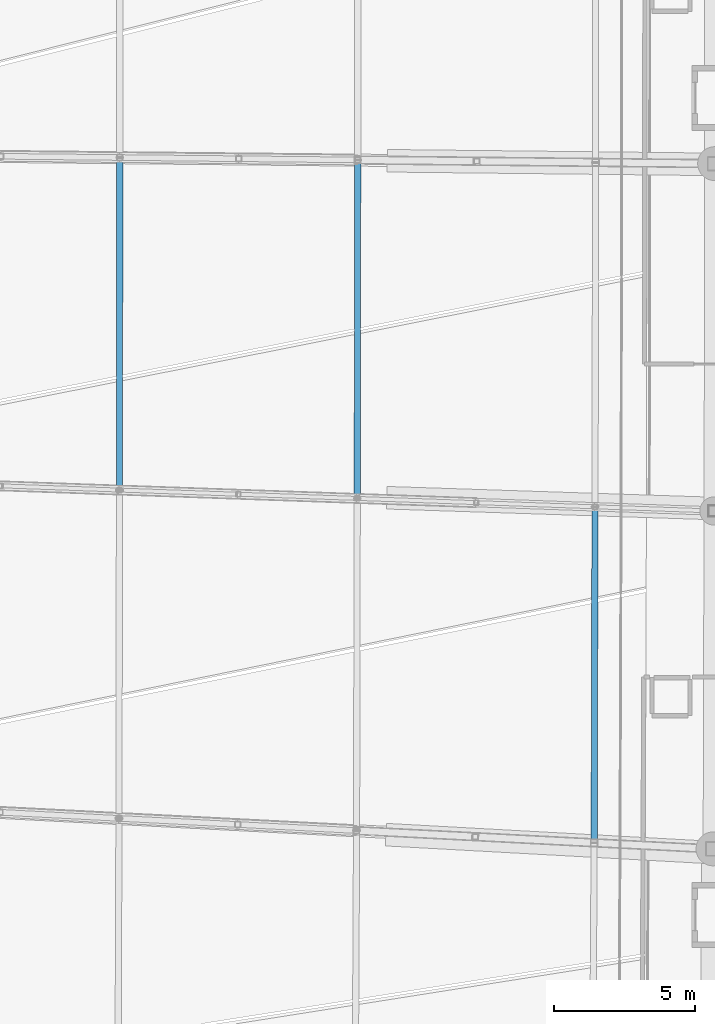
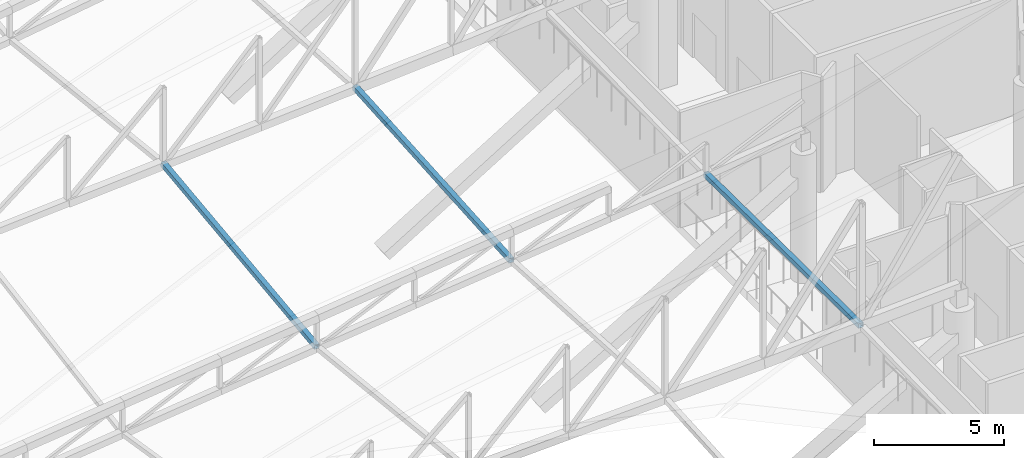
# One storey, part 103 of 344: 3 members.
"""IFC4 building model written with IfcOpenShell, lengths in metres."""

from ifc_helpers import new_model, si_unit, direction, frame, origin, origin_2d, place, context, subcontext, project, spatial, hollow_rectangle, extrude, material, material_profile, profile_set, type_object, element, save


model = new_model("IFC4")

# Units and contexts
model_context = context("Model", 3, precision=1e-05, world=origin(), true_north=direction((0.0, 1.0)))
body_context = subcontext(model_context, "Body", "Model", "MODEL_VIEW")
ifc_project = project(units=[si_unit("LENGTHUNIT", "METRE"), si_unit("AREAUNIT", "SQUARE_METRE"), si_unit("VOLUMEUNIT", "CUBIC_METRE"), si_unit("PLANEANGLEUNIT", "RADIAN"), si_unit("MASSUNIT", "GRAM", prefix="KILO")], contexts=[model_context])

# Site, building, storey
site_placement = place(None, origin())
site = spatial("IfcSite", under=ifc_project, at=site_placement, CompositionType="ELEMENT")
building_placement = place(site_placement, origin())
building = spatial("IfcBuilding", under=site, at=building_placement, Name="Meseta Stadium", CompositionType="ELEMENT")
storey_placement = place(building_placement, frame((0.0, 0.0, 24.0)))
storey = spatial("IfcBuildingStorey", under=building, at=storey_placement, Name="L04", CompositionType="ELEMENT", Elevation=24.0)

# Members
ifc_material = material(Name="Steel S355", Category="steel")
ifc_material_profile = material_profile(ifc_material, hollow_rectangle(XDim=0.219970703125, YDim=0.219970703125, WallThickness=0.008056640625, at=origin_2d()), Name="SHS 220x220x8")
ifc_profile_set = profile_set([ifc_material_profile], Name="Steel S355")
member_type = type_object("IfcMemberType", Name="SHS 220x220x8 strut", PredefinedType="STRUT", material=ifc_profile_set)
member_1_placement = place(storey_placement, frame((80.72412109375, -30.187255859375, 6.321044921875), z_axis=(0.00245648828, 0.99991355421, -0.012917034204), x_axis=(-0.999996982325, 0.002456693238, 0.0)))
element("IfcMember", 1, at=member_1_placement, inside=storey, type_object=member_type, Name="ROOF TRUSS STRUT RT-02/03", PredefinedType="STRUT", context=body_context, shape_type="SweptSolid", body=[
    extrude(hollow_rectangle(XDim=0.219970703125, YDim=0.219970703125, WallThickness=0.008056640625, at=origin_2d()), origin(), (0.0, 0.0, 1.0), 11.92626953125),
])
member_2_placement = place(storey_placement, frame((63.875, -17.667236328125, 3.634521484375), z_axis=(0.001067973413, 0.992886667036, 0.119058497617), x_axis=(-0.999999421516, 0.001075624067, 0.0)))
element("IfcMember", 2, at=member_2_placement, inside=storey, type_object=member_type, Name="ROOF TRUSS STRUT RT-03/04", PredefinedType="STRUT", context=body_context, shape_type="SweptSolid", body=[
    extrude(hollow_rectangle(XDim=0.219970703125, YDim=0.219970703125, WallThickness=0.008056640625, at=origin_2d()), origin(), (0.0, 0.0, 1.0), 11.88720703125),
])
member_3_placement = place(storey_placement, frame((72.314208984375, -17.964599609375, 4.900634765625), z_axis=(0.001439518658, 0.997667529831, 0.068245349349), x_axis=(-0.999998959044, 0.001442882641, 0.0)))
element("IfcMember", 3, at=member_3_placement, inside=storey, type_object=member_type, Name="ROOF TRUSS STRUT RT-03/04", PredefinedType="STRUT", context=body_context, shape_type="SweptSolid", body=[
    extrude(hollow_rectangle(XDim=0.219970703125, YDim=0.219970703125, WallThickness=0.008056640625, at=origin_2d()), origin(), (0.0, 0.0, 1.0), 12.04150390625),
])

save(model, "model.ifc")
